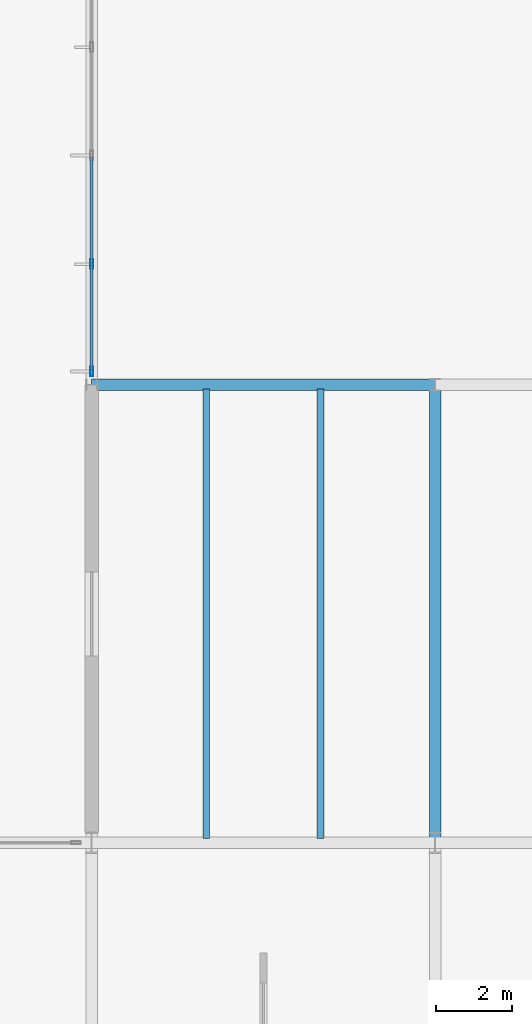
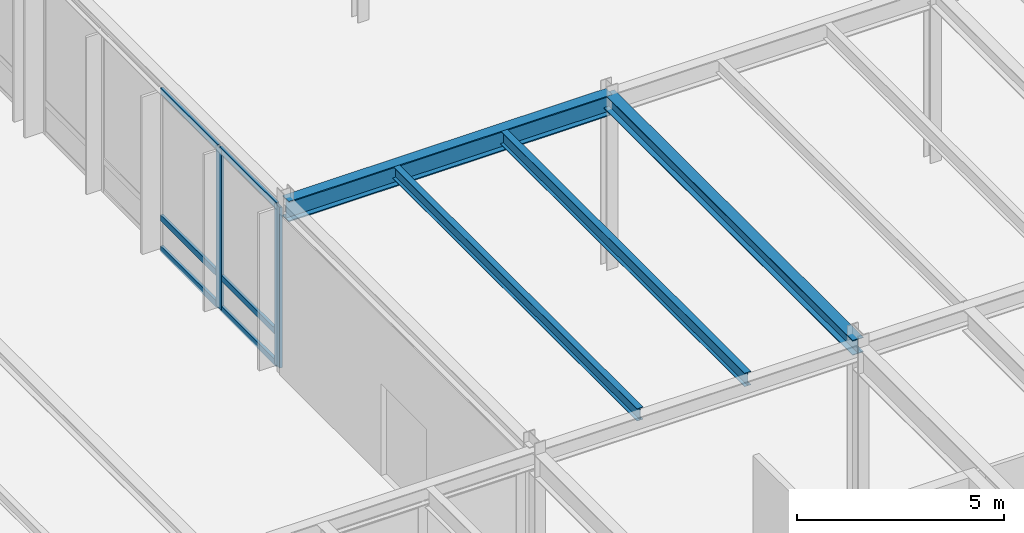
# One storey, part 29 of 143: 8 members, 4 beams, 1 element without a shape of its own.
"""IFC4 building model written with IfcOpenShell, lengths in metres."""

from ifc_helpers import new_model, si_unit, direction, frame, origin, origin_2d, place, context, subcontext, project, spatial, hollow_rectangle, i_section, extrude, material, layer, layer_set, material_profile, profile_set, type_object, element, aggregate, save


model = new_model("IFC4")

# Units and contexts
model_context = context("Model", 3, precision=1e-05, world=origin(), true_north=direction((0.0, 1.0)))
body_context = subcontext(model_context, "Body", "Model", "MODEL_VIEW")
ifc_project = project(units=[si_unit("LENGTHUNIT", "METRE"), si_unit("AREAUNIT", "SQUARE_METRE"), si_unit("VOLUMEUNIT", "CUBIC_METRE"), si_unit("PLANEANGLEUNIT", "RADIAN"), si_unit("MASSUNIT", "GRAM", prefix="KILO")], contexts=[model_context])

# Site, building, storey
site_placement = place(None, origin())
site = spatial("IfcSite", under=ifc_project, at=site_placement, CompositionType="ELEMENT")
building_placement = place(site_placement, origin())
building = spatial("IfcBuilding", under=site, at=building_placement, Name="Montelvaro Courts of Justice", CompositionType="ELEMENT")
storey_placement = place(building_placement, origin())
storey = spatial("IfcBuildingStorey", under=building, at=storey_placement, Name="L00", CompositionType="ELEMENT", Elevation=0.0)

# Beams
ifc_material_1 = material(Name="Steel S355", Category="steel")
ifc_material_profile_1 = material_profile(ifc_material_1, i_section(OverallWidth=0.300048828125, OverallDepth=0.43994140625, WebThickness=0.011474609375, FlangeThickness=0.02099609375, at=origin_2d()), Name="HEA 450")
ifc_profile_set_1 = profile_set([ifc_material_profile_1], Name="Steel S355")
beam_type_1 = type_object("IfcBeamType", Name="Beam_HEA450", PredefinedType="USERDEFINED", material=ifc_profile_set_1)
beam_1_placement = place(storey_placement, frame((63.0, 42.0, 4.89990234375), z_axis=(0.0, 1.0, 0.0), x_axis=(-1.0, 0.0, 0.0)))
element("IfcBeam", 1, at=beam_1_placement, inside=storey, type_object=beam_type_1, Name="Beam B-18 L00", ObjectType="GIRDER", PredefinedType="USERDEFINED", context=body_context, shape_type="SweptSolid", body=[
    extrude(i_section(OverallWidth=0.300048828125, OverallDepth=0.43994140625, WebThickness=0.011474609375, FlangeThickness=0.02099609375, at=origin_2d()), origin(), (0.0, 0.0, 1.0), 12.0),
])
ifc_material_profile_2 = material_profile(ifc_material_1, i_section(OverallWidth=0.300048828125, OverallDepth=0.60009765625, WebThickness=0.015380859375, FlangeThickness=0.030029296875, at=origin_2d()), Name="HEB 600")
ifc_profile_set_2 = profile_set([ifc_material_profile_2], Name="Steel S355")
beam_type_2 = type_object("IfcBeamType", Name="Beam_HEB600", PredefinedType="USERDEFINED", material=ifc_profile_set_2)
beam_2_placement = place(storey_placement, frame((54.0, 54.0, 4.820068359375), z_axis=(1.0, 0.0, 0.0), x_axis=(0.0, 1.0, 0.0)))
element("IfcBeam", 2, at=beam_2_placement, inside=storey, type_object=beam_type_2, Name="Beam B-26 L00", ObjectType="GIRDER", PredefinedType="USERDEFINED", context=body_context, shape_type="SweptSolid", body=[
    extrude(i_section(OverallWidth=0.300048828125, OverallDepth=0.60009765625, WebThickness=0.015380859375, FlangeThickness=0.030029296875, at=origin_2d()), origin(), (0.0, 0.0, 1.0), 9.0),
])
ifc_material_profile_3 = material_profile(ifc_material_1, i_section(OverallWidth=0.169921875, OverallDepth=0.360107421875, WebThickness=0.008056640625, FlangeThickness=0.0126953125, at=origin_2d()), Name="IPE 360")
ifc_profile_set_3 = profile_set([ifc_material_profile_3], Name="Steel S355")
beam_type_3 = type_object("IfcBeamType", Name="Beam_IPE360", PredefinedType="BEAM", material=ifc_profile_set_3)
beam_3_placement = place(storey_placement, frame((57.0, 42.110107421875, 4.93994140625), z_axis=(0.0, 1.0, 0.0), x_axis=(-1.0, 0.0, 0.0)))
element("IfcBeam", 3, at=beam_3_placement, inside=storey, type_object=beam_type_3, Name="Beam B-07 L00", PredefinedType="BEAM", context=body_context, shape_type="SweptSolid", body=[
    extrude(i_section(OverallWidth=0.169921875, OverallDepth=0.360107421875, WebThickness=0.008056640625, FlangeThickness=0.0126953125, at=origin_2d()), origin(), (0.0, 0.0, 1.0), 11.77978515625),
])
ifc_material_profile_4 = material_profile(ifc_material_1, i_section(OverallWidth=0.179931640625, OverallDepth=0.39990234375, WebThickness=0.008544921875, FlangeThickness=0.013427734375, at=origin_2d()), Name="IPE 400")
ifc_profile_set_4 = profile_set([ifc_material_profile_4], Name="Steel S355")
beam_type_4 = type_object("IfcBeamType", Name="Beam_IPE400", PredefinedType="BEAM", material=ifc_profile_set_4)
beam_4_placement = place(storey_placement, frame((60.0, 42.110107421875, 4.919921875), z_axis=(0.0, 1.0, 0.0), x_axis=(-1.0, 0.0, 0.0)))
element("IfcBeam", 4, at=beam_4_placement, inside=storey, type_object=beam_type_4, Name="Beam B-08 L00", PredefinedType="BEAM", context=body_context, shape_type="SweptSolid", body=[
    extrude(i_section(OverallWidth=0.179931640625, OverallDepth=0.39990234375, WebThickness=0.008544921875, FlangeThickness=0.013427734375, at=origin_2d()), origin(), (0.0, 0.0, 1.0), 11.77978515625),
])

# Curtain wall, members
ifc_material_2 = material(Name="Anodised aluminium EN AW-6063", Category="aluminium")
ifc_layer = layer(ifc_material_2, 0.159912109375)
ifc_layer_set = layer_set([ifc_layer], Name="Anodised aluminium EN AW-6063")
curtain_wall_type = type_object("IfcCurtainWallType", Name="CurtainWall_08_1137x508", PredefinedType="USERDEFINED", material=ifc_layer_set)
curtain_wall_placement = place(storey_placement, origin())
curtain_wall = element("IfcCurtainWall", 5, at=curtain_wall_placement, inside=storey, type_object=curtain_wall_type, Name="Curtain Wall CW-08 (L00)", ObjectType="CURTAIN WALL", PredefinedType="USERDEFINED")
ifc_material_profile_5 = material_profile(ifc_material_2, hollow_rectangle(XDim=0.074951171875, YDim=0.25, WallThickness=0.005615234375, at=origin_2d()), Name="ALU-M 75x250")
ifc_profile_set_5 = profile_set([ifc_material_profile_5], Name="Anodised aluminium EN AW-6063")
member_type_1 = type_object("IfcMemberType", Name="CurtainWall_Mullion_75x250", PredefinedType="MULLION", material=ifc_profile_set_5)
member_1_placement = place(storey_placement, frame((54.0, 57.157470703125, 0.0), z_axis=(0.0, 0.0, 1.0), x_axis=(1.0, 0.0, 0.0)))
member_1 = element("IfcMember", 6, at=member_1_placement, type_object=member_type_1, Name="CW-08 mullion 4", PredefinedType="MULLION", context=body_context, shape_type="SweptSolid", body=[
    extrude(hollow_rectangle(XDim=0.074951171875, YDim=0.25, WallThickness=0.005615234375, at=origin_2d()), origin(), (0.0, 0.0, 1.0), 4.72509765625),
])
member_2_placement = place(storey_placement, frame((54.0, 54.3525390625, 0.0), z_axis=(0.0, 0.0, 1.0), x_axis=(1.0, 0.0, 0.0)))
member_2 = element("IfcMember", 7, at=member_2_placement, type_object=member_type_1, Name="CW-08 mullion 5", PredefinedType="MULLION", context=body_context, shape_type="SweptSolid", body=[
    extrude(hollow_rectangle(XDim=0.074951171875, YDim=0.25, WallThickness=0.005615234375, at=origin_2d()), origin(), (0.0, 0.0, 1.0), 4.72509765625),
])
ifc_material_profile_6 = material_profile(ifc_material_2, hollow_rectangle(XDim=0.074951171875, YDim=0.179931640625, WallThickness=0.0048828125, at=origin_2d()), Name="ALU-T 75x180")
ifc_profile_set_6 = profile_set([ifc_material_profile_6], Name="Anodised aluminium EN AW-6063")
member_type_2 = type_object("IfcMemberType", Name="CurtainWall_Transom_75x180", PredefinedType="USERDEFINED", material=ifc_profile_set_6)
member_3_placement = place(storey_placement, frame((54.0, 59.96240234375, 0.03759765625), z_axis=(0.0, -1.0, 0.0), x_axis=(1.0, 0.0, 0.0)))
member_3 = element("IfcMember", 8, at=member_3_placement, type_object=member_type_2, Name="CW-08 transom 3.1", ObjectType="TRANSOM", PredefinedType="USERDEFINED", context=body_context, shape_type="SweptSolid", body=[
    extrude(hollow_rectangle(XDim=0.074951171875, YDim=0.179931640625, WallThickness=0.0048828125, at=origin_2d()), origin(), (0.0, 0.0, 1.0), 2.767333984375),
])
member_4_placement = place(storey_placement, frame((54.0, 59.96240234375, 0.949951171875), z_axis=(0.0, -1.0, 0.0), x_axis=(1.0, 0.0, 0.0)))
member_4 = element("IfcMember", 9, at=member_4_placement, type_object=member_type_2, Name="CW-08 transom 3.2", ObjectType="TRANSOM", PredefinedType="USERDEFINED", context=body_context, shape_type="SweptSolid", body=[
    extrude(hollow_rectangle(XDim=0.074951171875, YDim=0.179931640625, WallThickness=0.0048828125, at=origin_2d()), origin(), (0.0, 0.0, 1.0), 2.767333984375),
])
member_5_placement = place(storey_placement, frame((54.0, 59.96240234375, 4.6875), z_axis=(0.0, -1.0, 0.0), x_axis=(1.0, 0.0, 0.0)))
member_5 = element("IfcMember", 10, at=member_5_placement, type_object=member_type_2, Name="CW-08 transom 3.3", ObjectType="TRANSOM", PredefinedType="USERDEFINED", context=body_context, shape_type="SweptSolid", body=[
    extrude(hollow_rectangle(XDim=0.074951171875, YDim=0.179931640625, WallThickness=0.0048828125, at=origin_2d()), origin(), (0.0, 0.0, 1.0), 2.767333984375),
])
member_6_placement = place(storey_placement, frame((54.0, 57.1201171875, 0.03759765625), z_axis=(0.0, -1.0, 0.0), x_axis=(1.0, 0.0, 0.0)))
member_6 = element("IfcMember", 11, at=member_6_placement, type_object=member_type_2, Name="CW-08 transom 4.1", ObjectType="TRANSOM", PredefinedType="USERDEFINED", context=body_context, shape_type="SweptSolid", body=[
    extrude(hollow_rectangle(XDim=0.074951171875, YDim=0.179931640625, WallThickness=0.0048828125, at=origin_2d()), origin(), (0.0, 0.0, 1.0), 2.730224609375),
])
member_7_placement = place(storey_placement, frame((54.0, 57.1201171875, 0.949951171875), z_axis=(0.0, -1.0, 0.0), x_axis=(1.0, 0.0, 0.0)))
member_7 = element("IfcMember", 12, at=member_7_placement, type_object=member_type_2, Name="CW-08 transom 4.2", ObjectType="TRANSOM", PredefinedType="USERDEFINED", context=body_context, shape_type="SweptSolid", body=[
    extrude(hollow_rectangle(XDim=0.074951171875, YDim=0.179931640625, WallThickness=0.0048828125, at=origin_2d()), origin(), (0.0, 0.0, 1.0), 2.730224609375),
])
member_8_placement = place(storey_placement, frame((54.0, 57.1201171875, 4.6875), z_axis=(0.0, -1.0, 0.0), x_axis=(1.0, 0.0, 0.0)))
member_8 = element("IfcMember", 13, at=member_8_placement, type_object=member_type_2, Name="CW-08 transom 4.3", ObjectType="TRANSOM", PredefinedType="USERDEFINED", context=body_context, shape_type="SweptSolid", body=[
    extrude(hollow_rectangle(XDim=0.074951171875, YDim=0.179931640625, WallThickness=0.0048828125, at=origin_2d()), origin(), (0.0, 0.0, 1.0), 2.730224609375),
])
aggregate(curtain_wall, [member_1, member_2, member_3, member_4, member_5, member_6, member_7, member_8])

save(model, "model.ifc")
